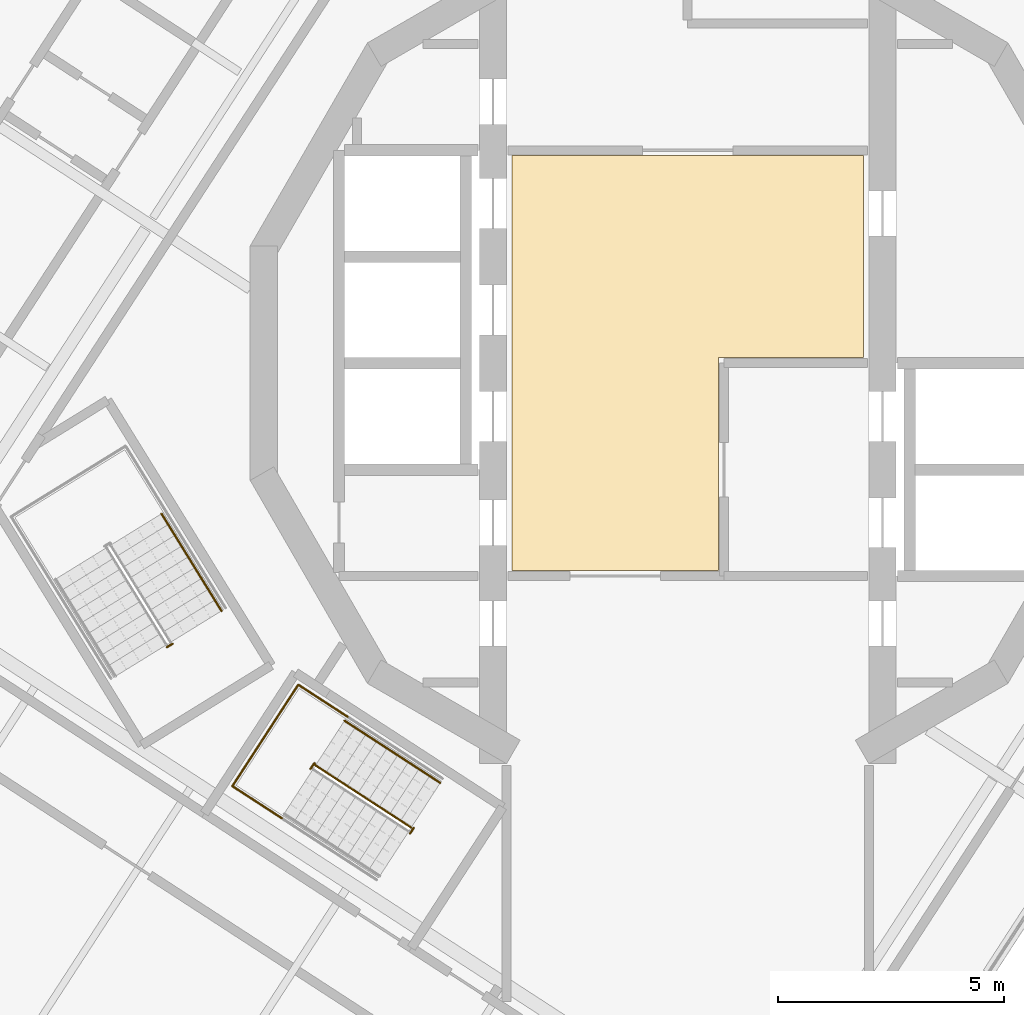
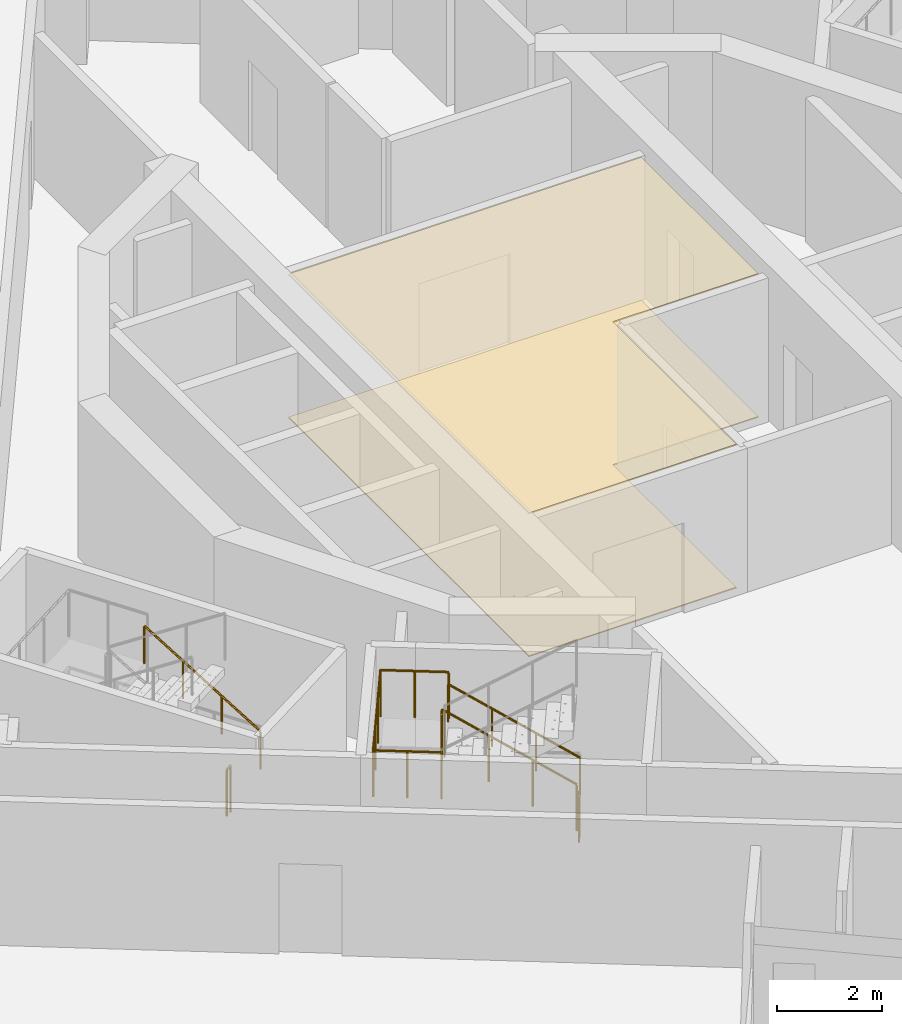
# One storey, part 13 of 17: 6 railings, 2 coverings.
"""IFC4 building model written with IfcOpenShell, lengths in metres."""

from ifc_helpers import new_model, si_unit, direction, frame, origin, origin_2d, place, context, subcontext, project, spatial, polyline, circle, outline, extrude, material, layer, layer_set, type_object, element, save


model = new_model("IFC4")

# Units and contexts
model_context = context("Model", 3, precision=1e-05, world=origin(), true_north=direction((0.0, 1.0)))
body_context = subcontext(model_context, "Body", "Model", "MODEL_VIEW")
ifc_project = project(units=[si_unit("LENGTHUNIT", "METRE"), si_unit("AREAUNIT", "SQUARE_METRE"), si_unit("VOLUMEUNIT", "CUBIC_METRE"), si_unit("PLANEANGLEUNIT", "RADIAN"), si_unit("MASSUNIT", "GRAM", prefix="KILO")], contexts=[model_context])

# Site, building, storey
site_placement = place(None, origin())
site = spatial("IfcSite", under=ifc_project, at=site_placement, CompositionType="ELEMENT")
building_placement = place(site_placement, origin())
building = spatial("IfcBuilding", under=site, at=building_placement, Name="Cantera Rosa Tower", CompositionType="ELEMENT")
storey_placement = place(building_placement, frame((0.0, 0.0, 257.699951171875)))
storey = spatial("IfcBuildingStorey", under=building, at=storey_placement, Name="L57", CompositionType="ELEMENT", Elevation=257.699951171875)

# Railings
ifc_material_1 = material(Name="Steel S355J2 (EN 10025-2)", Category="steel")
railing_type_1 = type_object("IfcRailingType", Name="STAIR GUARD 1100", PredefinedType="GUARDRAIL", material=ifc_material_1)
railing_1_placement = place(storey_placement, frame((-11.375, -6.19482421875, 0.0)))
element("IfcRailing", 1, at=railing_1_placement, inside=storey, type_object=railing_type_1, Name="L57 ST-52 stair guard 3", PredefinedType="GUARDRAIL", context=body_context, shape_type="SweptSolid", body=[
    extrude(circle(Radius=0.02392578125, at=origin_2d()), frame((0.0, 0.0, 1.076171875), z_axis=(-0.851546489876, -0.524279100842, 0.0), x_axis=(0.524279100842, -0.851546489876, 0.0)), (0.0, 0.0, 1.0), 0.14990234375),
    extrude(circle(Radius=0.02099609375, at=origin_2d()), origin(), (0.0, 0.0, 1.0), 1.052001953125),
    extrude(circle(Radius=0.02099609375, at=origin_2d()), frame((-0.127685546875, -0.07861328125, 0.0)), (0.0, 0.0, 1.0), 1.052001953125),
])
railing_2_placement = place(storey_placement, frame((-6.10400390625, -10.25341796875, 0.179931640625)))
element("IfcRailing", 2, at=railing_2_placement, inside=storey, type_object=railing_type_1, Name="L57 ST-53 stair guard 1", PredefinedType="GUARDRAIL", context=body_context, shape_type="SweptSolid", body=[
    extrude(circle(Radius=0.02392578125, at=origin_2d()), frame((0.0, 0.0, 1.076171875), z_axis=(-0.705462015847, 0.458138784, 0.540770005448), x_axis=(-0.544644381691, -0.838667095749, 0.0)), (0.0, 0.0, 1.0), 2.995849609375),
    extrude(circle(Radius=0.02392578125, at=origin_2d()), frame((-2.113525390625, 1.37255859375, 2.6962890625), z_axis=(-0.49005532576, 0.871691331662, 0.0), x_axis=(-0.871691331662, -0.49005532576, 0.0)), (0.0, 0.0, 1.0), 0.056396484375),
    extrude(circle(Radius=0.02392578125, at=origin_2d()), frame((-2.14111328125, 1.421630859375, 2.6962890625), z_axis=(-0.545274379459, -0.838257628123, 0.0), x_axis=(0.838257628123, -0.545274379459, 0.0)), (0.0, 0.0, 1.0), 0.14990234375),
    extrude(circle(Radius=0.02099609375, at=origin_2d()), origin(), (0.0, 0.0, 1.0), 1.052001953125),
    extrude(circle(Radius=0.02099609375, at=origin_2d()), frame((-0.70458984375, 0.45751953125, 0.5400390625)), (0.0, 0.0, 1.0), 1.052001953125),
    extrude(circle(Radius=0.02099609375, at=origin_2d()), frame((-1.408935546875, 0.9150390625, 1.080078125)), (0.0, 0.0, 1.0), 1.052001953125),
    extrude(circle(Radius=0.02099609375, at=origin_2d()), frame((-2.113525390625, 1.37255859375, 1.6201171875)), (0.0, 0.0, 1.0), 1.052001953125),
    extrude(circle(Radius=0.02099609375, at=origin_2d()), frame((-2.14111328125, 1.421630859375, 1.6201171875)), (0.0, 0.0, 1.0), 1.052001953125),
    extrude(circle(Radius=0.02099609375, at=origin_2d()), frame((-2.222900390625, 1.2958984375, 1.6201171875)), (0.0, 0.0, 1.0), 1.052001953125),
])
railing_3_placement = place(storey_placement, frame((-6.0478515625, -10.2587890625, 0.0)))
element("IfcRailing", 3, at=railing_3_placement, inside=storey, type_object=railing_type_1, Name="L57 ST-53 stair guard 3", PredefinedType="GUARDRAIL", context=body_context, shape_type="SweptSolid", body=[
    extrude(circle(Radius=0.02392578125, at=origin_2d()), frame((0.0, 0.0, 1.076171875), z_axis=(-0.545274379459, -0.838257628123, 0.0), x_axis=(0.838257628123, -0.545274379459, 0.0)), (0.0, 0.0, 1.0), 0.14990234375),
    extrude(circle(Radius=0.02099609375, at=origin_2d()), origin(), (0.0, 0.0, 1.0), 1.052001953125),
    extrude(circle(Radius=0.02099609375, at=origin_2d()), frame((-0.081787109375, -0.125732421875, 0.0)), (0.0, 0.0, 1.0), 1.052001953125),
])
railing_4_placement = place(storey_placement, frame((-7.507080078125, -7.808837890625, 1.800048828125)))
element("IfcRailing", 4, at=railing_4_placement, inside=storey, type_object=railing_type_1, Name="L57 ST-53 stair guard 5", PredefinedType="GUARDRAIL", context=body_context, shape_type="SweptSolid", body=[
    extrude(circle(Radius=0.02392578125, at=origin_2d()), frame((0.0, 0.0, 1.076171875), z_axis=(-0.838597818641, 0.544751042744, 0.0), x_axis=(-0.544751042744, -0.838597818641, 0.0)), (0.0, 0.0, 1.0), 1.302001953125),
    extrude(circle(Radius=0.02392578125, at=origin_2d()), frame((-1.091796875, 0.709228515625, 1.076171875), z_axis=(-0.544679779991, -0.838644106442, 0.0), x_axis=(0.838644106442, -0.544679779991, 0.0)), (0.0, 0.0, 1.0), 2.670166015625),
    extrude(circle(Radius=0.02392578125, at=origin_2d()), frame((-2.546142578125, -1.530029296875, 1.076171875), z_axis=(0.838653453326, -0.544665388311, 0.0), x_axis=(0.544665388311, 0.838653453326, 0.0)), (0.0, 0.0, 1.0), 1.30224609375),
    extrude(circle(Radius=0.02099609375, at=origin_2d()), origin(), (0.0, 0.0, 1.0), 1.052001953125),
    extrude(circle(Radius=0.02099609375, at=origin_2d()), frame((-0.5458984375, 0.3544921875, 0.0)), (0.0, 0.0, 1.0), 1.052001953125),
    extrude(circle(Radius=0.02099609375, at=origin_2d()), frame((-1.091796875, 0.709228515625, 0.0)), (0.0, 0.0, 1.0), 1.052001953125),
    extrude(circle(Radius=0.02099609375, at=origin_2d()), frame((-1.57666015625, -0.037109375, 0.0)), (0.0, 0.0, 1.0), 1.052001953125),
    extrude(circle(Radius=0.02099609375, at=origin_2d()), frame((-2.061279296875, -0.78369140625, 0.0)), (0.0, 0.0, 1.0), 1.052001953125),
    extrude(circle(Radius=0.02099609375, at=origin_2d()), frame((-2.546142578125, -1.530029296875, 0.0)), (0.0, 0.0, 1.0), 1.052001953125),
    extrude(circle(Radius=0.02099609375, at=origin_2d()), frame((-2.0, -1.884765625, 0.0)), (0.0, 0.0, 1.0), 1.052001953125),
    extrude(circle(Radius=0.02099609375, at=origin_2d()), frame((-1.4541015625, -2.2392578125, 0.0)), (0.0, 0.0, 1.0), 1.052001953125),
])
ifc_material_2 = material(Name="Steel S355J2 (EN 10025-2)", Category="steel")
railing_type_2 = type_object("IfcRailingType", Name="STAIR HANDRAIL 900", PredefinedType="HANDRAIL", material=ifc_material_2)
railing_5_placement = place(storey_placement, frame((-10.294677734375, -5.4697265625, 0.179931640625)))
element("IfcRailing", 5, at=railing_5_placement, inside=storey, type_object=railing_type_2, Name="L57 ST-52 stair handrail 1", PredefinedType="HANDRAIL", context=body_context, shape_type="SweptSolid", body=[
    extrude(circle(Radius=0.02392578125, at=origin_2d()), frame((0.0, 0.0, 0.8759765625), z_axis=(-0.441609067481, 0.715913574058, 0.540785711718), x_axis=(-0.851102330005, -0.524999832248, 0.0)), (0.0, 0.0, 1.0), 2.995849609375),
    extrude(circle(Radius=0.02099609375, at=origin_2d()), origin(), (0.0, 0.0, 1.0), 0.851806640625),
    extrude(circle(Radius=0.02099609375, at=origin_2d()), frame((-0.44091796875, 0.71484375, 0.5400390625)), (0.0, 0.0, 1.0), 0.851806640625),
    extrude(circle(Radius=0.02099609375, at=origin_2d()), frame((-0.882080078125, 1.429931640625, 1.080078125)), (0.0, 0.0, 1.0), 0.851806640625),
    extrude(circle(Radius=0.02099609375, at=origin_2d()), frame((-1.322998046875, 2.144775390625, 1.6201171875)), (0.0, 0.0, 1.0), 0.851806640625),
])
railing_6_placement = place(storey_placement, frame((-5.463623046875, -9.26708984375, 0.179931640625)))
element("IfcRailing", 6, at=railing_6_placement, inside=storey, type_object=railing_type_2, Name="L57 ST-53 stair handrail 1", PredefinedType="HANDRAIL", context=body_context, shape_type="SweptSolid", body=[
    extrude(circle(Radius=0.02392578125, at=origin_2d()), frame((0.0, 0.0, 0.8759765625), z_axis=(-0.705421077808, 0.458165122394, 0.540801094309), x_axis=(-0.544688635705, -0.838638354795, 0.0)), (0.0, 0.0, 1.0), 2.995849609375),
    extrude(circle(Radius=0.02099609375, at=origin_2d()), origin(), (0.0, 0.0, 1.0), 0.851806640625),
    extrude(circle(Radius=0.02099609375, at=origin_2d()), frame((-0.704345703125, 0.45751953125, 0.5400390625)), (0.0, 0.0, 1.0), 0.851806640625),
    extrude(circle(Radius=0.02099609375, at=origin_2d()), frame((-1.408935546875, 0.9150390625, 1.080078125)), (0.0, 0.0, 1.0), 0.851806640625),
    extrude(circle(Radius=0.02099609375, at=origin_2d()), frame((-2.11328125, 1.37255859375, 1.6201171875)), (0.0, 0.0, 1.0), 0.851806640625),
])

# Coverings
ifc_material_3 = material(Name="Limestone paving", Category="masonry")
ifc_layer_1 = layer(ifc_material_3, 0.02490234375)
ifc_layer_set_1 = layer_set([ifc_layer_1], Name="STONE FLOOR FINISH 25")
covering_type_1 = type_object("IfcCoveringType", Name="STONE FLOOR FINISH 25", PredefinedType="FLOORING", material=ifc_layer_set_1)
covering_1_placement = place(storey_placement, origin())
element("IfcCovering", 7, at=covering_1_placement, inside=storey, type_object=covering_type_1, Name="STONE FLOOR FINISH L57", PredefinedType="FLOORING", context=body_context, shape_type="SweptSolid", body=[
    extrude(outline(polyline([(3.8798828125, 4.580078125), (3.8798828125, 0.1201171875), (0.679931640625, 0.1201171875), (0.679931640625, -4.580078125), (-3.8798828125, -4.580078125), (-3.8798828125, 4.580078125), (3.8798828125, 4.580078125)])), origin(), (0.0, 0.0, 1.0), 0.025146484375),
])
ifc_material_4 = material(Name="Gypsum ceiling tile")
ifc_layer_2 = layer(ifc_material_4, 0.030029296875)
ifc_layer_set_2 = layer_set([ifc_layer_2], Name="SUSPENDED CEILING 30")
covering_type_2 = type_object("IfcCoveringType", Name="SUSPENDED CEILING 30", PredefinedType="CEILING", material=ifc_layer_set_2)
covering_2_placement = place(storey_placement, frame((0.0, 0.0, 3.320068359375)))
element("IfcCovering", 8, at=covering_2_placement, inside=storey, type_object=covering_type_2, Name="SUSPENDED CEILING L57", PredefinedType="CEILING", context=body_context, shape_type="SweptSolid", body=[
    extrude(outline(polyline([(3.8798828125, 4.580078125), (3.8798828125, 0.1201171875), (0.679931640625, 0.1201171875), (0.679931640625, -4.580078125), (-3.8798828125, -4.580078125), (-3.8798828125, 4.580078125), (3.8798828125, 4.580078125)])), origin(), (0.0, 0.0, 1.0), 0.030029296875),
])

save(model, "model.ifc")
